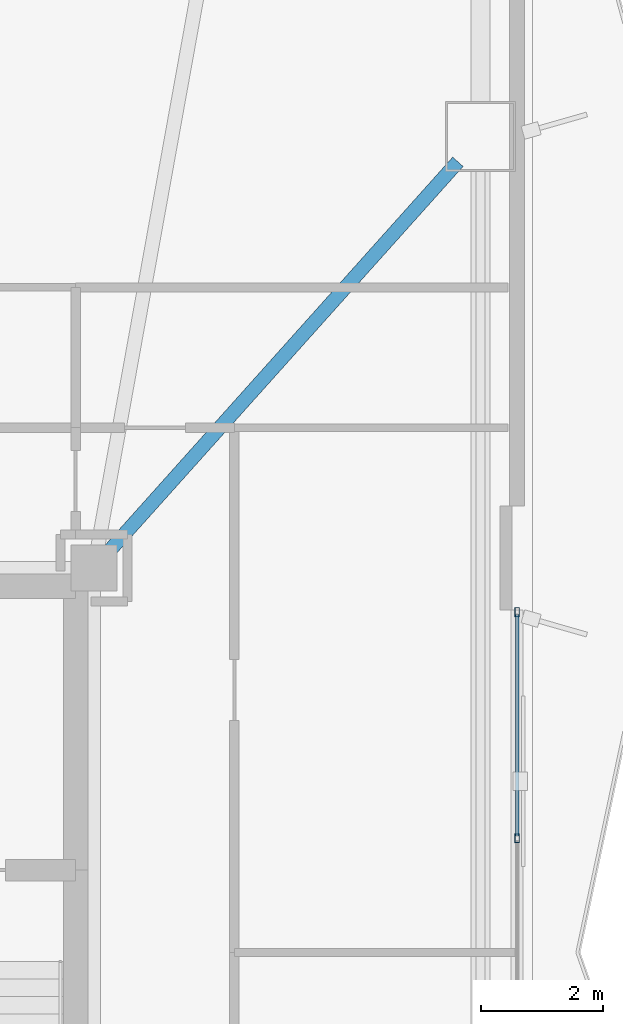
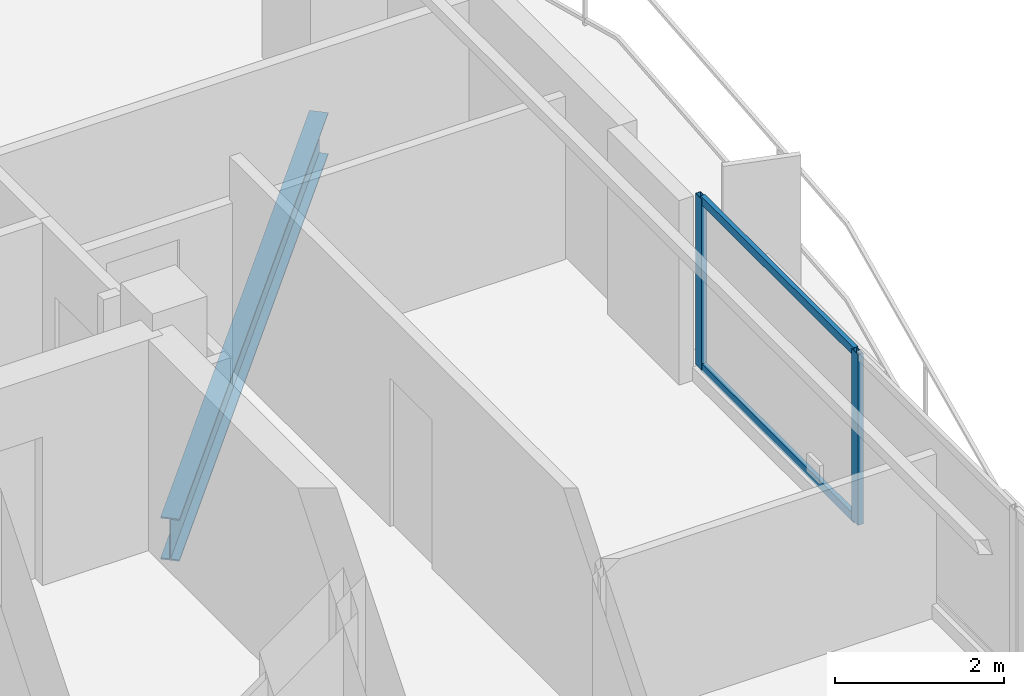
# One storey, part 10 of 22: 4 members, 1 beam, 1 element without a shape of its own.
"""IFC4 building model written with IfcOpenShell, lengths in metres."""

from ifc_helpers import new_model, si_unit, direction, frame, origin, origin_2d, place, context, subcontext, project, spatial, hollow_rectangle, i_section, extrude, material, layer, layer_set, material_profile, profile_set, type_object, element, aggregate, save


model = new_model("IFC4")

# Units and contexts
model_context = context("Model", 3, precision=1e-05, world=origin(), true_north=direction((0.0, 1.0)))
body_context = subcontext(model_context, "Body", "Model", "MODEL_VIEW")
ifc_project = project(units=[si_unit("LENGTHUNIT", "METRE"), si_unit("AREAUNIT", "SQUARE_METRE"), si_unit("VOLUMEUNIT", "CUBIC_METRE"), si_unit("PLANEANGLEUNIT", "RADIAN"), si_unit("MASSUNIT", "GRAM", prefix="KILO")], contexts=[model_context])

# Site, building, storey
site_placement = place(None, origin())
site = spatial("IfcSite", under=ifc_project, at=site_placement, CompositionType="ELEMENT")
building_placement = place(site_placement, origin())
building = spatial("IfcBuilding", under=site, at=building_placement, Name="Mersakhor Tower and Convention Hall", CompositionType="ELEMENT")
storey_placement = place(building_placement, frame((0.0, 0.0, 99.89990234375)))
storey = spatial("IfcBuildingStorey", under=building, at=storey_placement, Name="L27", CompositionType="ELEMENT", Elevation=99.89990234375)

# Beam
ifc_material_1 = material(Name="Steel S355", Category="steel")
ifc_material_profile_1 = material_profile(ifc_material_1, i_section(OverallWidth=0.22900390625, OverallDepth=0.6123046875, WebThickness=0.011962890625, FlangeThickness=0.01953125, at=origin_2d()), Name="UB 610x229x125")
ifc_profile_set_1 = profile_set([ifc_material_profile_1], Name="Steel S355")
beam_type = type_object("IfcBeamType", Name="BM-PR-610", PredefinedType="BEAM", material=ifc_profile_set_1)
beam_placement = place(storey_placement, frame((36.3369140625, 33.314453125, -0.555908203125), z_axis=(0.667217091819, 0.744863311209, 0.0), x_axis=(-0.744863311209, 0.667217091819, 0.0)))
element("IfcBeam", 1, at=beam_placement, inside=storey, type_object=beam_type, Name="L27 Primary Floor Girder FG-3", PredefinedType="BEAM", context=body_context, shape_type="SweptSolid", body=[
    extrude(i_section(OverallWidth=0.22900390625, OverallDepth=0.6123046875, WebThickness=0.011962890625, FlangeThickness=0.01953125, at=origin_2d()), origin(), (0.0, 0.0, 1.0), 8.583740234375),
])

# Curtain wall, members
ifc_material_2 = material(Name="Dark solar low-E aluminium curtain wall", Category="aluminium")
ifc_layer = layer(ifc_material_2, 0.159912109375)
ifc_layer_set = layer_set([ifc_layer], Name="Dark solar low-E aluminium curtain wall")
curtain_wall_type = type_object("IfcCurtainWallType", Name="CW-SYS-01", PredefinedType="USERDEFINED", material=ifc_layer_set)
curtain_wall_placement = place(storey_placement, origin())
curtain_wall = element("IfcCurtainWall", 2, at=curtain_wall_placement, inside=storey, type_object=curtain_wall_type, Name="L27 Dark-Glass Curtain Wall F2-B2", ObjectType="CURTAIN WALL", PredefinedType="USERDEFINED")
ifc_material_3 = material(Name="Anodised aluminium EN AW-6063 T6", Category="aluminium")
ifc_material_profile_2 = material_profile(ifc_material_3, hollow_rectangle(XDim=0.074951171875, YDim=0.14990234375, WallThickness=0.00634765625, at=origin_2d()), Name="RHS 150x75x6.3")
ifc_profile_set_2 = profile_set([ifc_material_profile_2], Name="Anodised aluminium EN AW-6063 T6")
member_type_1 = type_object("IfcMemberType", Name="CWM-150x75", PredefinedType="MULLION", material=ifc_profile_set_2)
member_1_placement = place(storey_placement, frame((43.03466796875, 32.327392578125, 0.2001953125), z_axis=(0.0, 0.0, 1.0), x_axis=(1.0, 0.0, 0.0)))
member_1 = element("IfcMember", 3, at=member_1_placement, type_object=member_type_1, Name="CW-01 mullion 1", PredefinedType="MULLION", context=body_context, shape_type="SweptSolid", body=[
    extrude(hollow_rectangle(XDim=0.074951171875, YDim=0.14990234375, WallThickness=0.00634765625, at=origin_2d()), origin(), (0.0, 0.0, 1.0), 2.469970703125),
])
member_2_placement = place(storey_placement, frame((43.03466796875, 28.62158203125, 0.2001953125), z_axis=(0.0, 0.0, 1.0), x_axis=(1.0, 0.0, 0.0)))
member_2 = element("IfcMember", 4, at=member_2_placement, type_object=member_type_1, Name="CW-01 mullion 2", PredefinedType="MULLION", context=body_context, shape_type="SweptSolid", body=[
    extrude(hollow_rectangle(XDim=0.074951171875, YDim=0.14990234375, WallThickness=0.00634765625, at=origin_2d()), origin(), (0.0, 0.0, 1.0), 2.469970703125),
])
ifc_material_4 = material(Name="Anodised aluminium EN AW-6063 T6", Category="aluminium")
ifc_material_profile_3 = material_profile(ifc_material_4, hollow_rectangle(XDim=0.06005859375, YDim=0.1201171875, WallThickness=0.0048828125, at=origin_2d()), Name="RHS 120x60x5")
ifc_profile_set_3 = profile_set([ifc_material_profile_3], Name="Anodised aluminium EN AW-6063 T6")
member_type_2 = type_object("IfcMemberType", Name="CWT-120x60", PredefinedType="USERDEFINED", material=ifc_profile_set_3)
member_3_placement = place(storey_placement, frame((43.03466796875, 32.289794921875, 0.22998046875), z_axis=(0.0, -1.0, 0.0), x_axis=(1.0, 0.0, 0.0)))
member_3 = element("IfcMember", 5, at=member_3_placement, type_object=member_type_2, Name="CW-01 transom 1.1", ObjectType="TRANSOM", PredefinedType="USERDEFINED", context=body_context, shape_type="SweptSolid", body=[
    extrude(hollow_rectangle(XDim=0.06005859375, YDim=0.1201171875, WallThickness=0.0048828125, at=origin_2d()), origin(), (0.0, 0.0, 1.0), 3.630615234375),
])
member_4_placement = place(storey_placement, frame((43.03466796875, 32.289794921875, 2.64013671875), z_axis=(0.0, -1.0, 0.0), x_axis=(1.0, 0.0, 0.0)))
member_4 = element("IfcMember", 6, at=member_4_placement, type_object=member_type_2, Name="CW-01 transom 1.2", ObjectType="TRANSOM", PredefinedType="USERDEFINED", context=body_context, shape_type="SweptSolid", body=[
    extrude(hollow_rectangle(XDim=0.06005859375, YDim=0.1201171875, WallThickness=0.0048828125, at=origin_2d()), origin(), (0.0, 0.0, 1.0), 3.630615234375),
])
aggregate(curtain_wall, [member_1, member_2, member_3, member_4])

save(model, "model.ifc")
